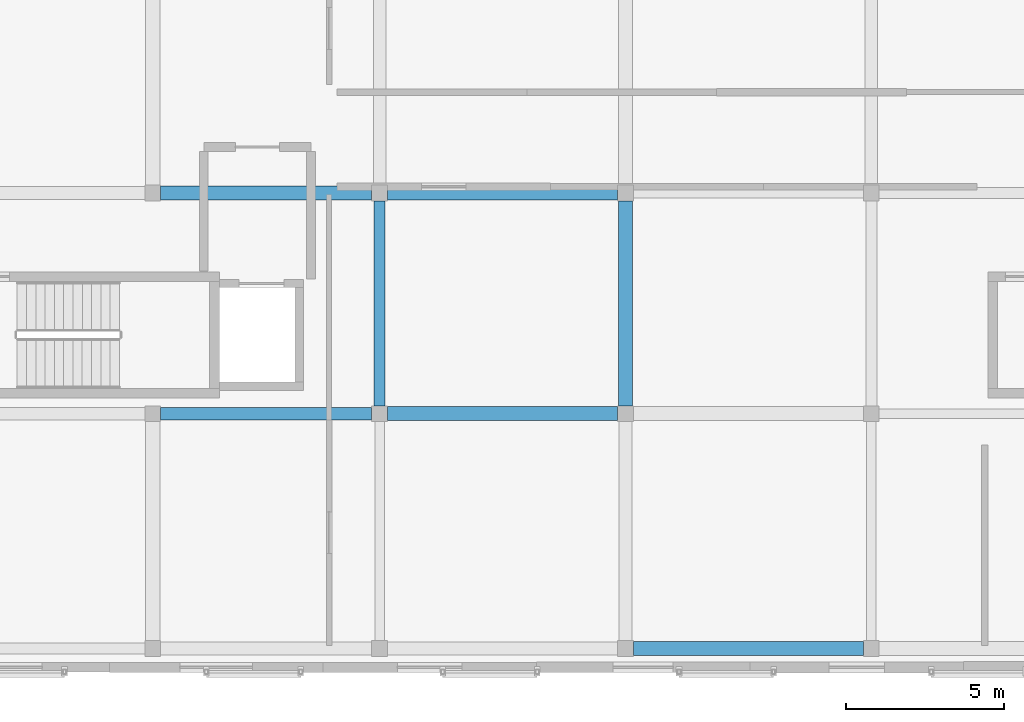
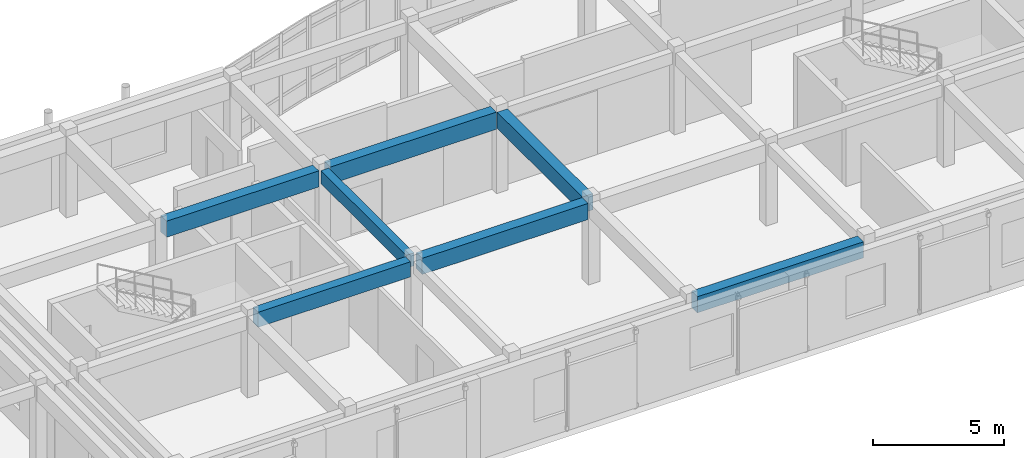
# One storey, part 33 of 91: 7 beams.
"""IFC4 building model written with IfcOpenShell, lengths in metres."""

from ifc_helpers import new_model, si_unit, direction, frame, origin, origin_2d, place, context, subcontext, project, spatial, rectangle, extrude, material, material_profile, profile_set, type_object, element, save


model = new_model("IFC4")

# Units and contexts
model_context = context("Model", 3, precision=1e-05, world=origin(), true_north=direction((0.0, 1.0)))
body_context = subcontext(model_context, "Body", "Model", "MODEL_VIEW")
ifc_project = project(units=[si_unit("LENGTHUNIT", "METRE"), si_unit("AREAUNIT", "SQUARE_METRE"), si_unit("VOLUMEUNIT", "CUBIC_METRE"), si_unit("PLANEANGLEUNIT", "RADIAN"), si_unit("MASSUNIT", "GRAM", prefix="KILO")], contexts=[model_context])

# Site, building, storey
site_placement = place(None, origin())
site = spatial("IfcSite", under=ifc_project, at=site_placement, CompositionType="ELEMENT")
building_placement = place(site_placement, origin())
building = spatial("IfcBuilding", under=site, at=building_placement, Name="Valcora Specialist Clinic", CompositionType="ELEMENT")
storey_placement = place(building_placement, frame((0.0, 0.0, 13.60009765625)))
storey = spatial("IfcBuildingStorey", under=building, at=storey_placement, Name="L03", CompositionType="ELEMENT", Elevation=13.60009765625)

# Beams
ifc_material = material(Name="Concrete C40/50", Category="concrete")
ifc_material_profile_1 = material_profile(ifc_material, rectangle(XDim=0.35009765625, YDim=0.60009765625, at=origin_2d()), Name="RC-BM-350X600")
ifc_profile_set_1 = profile_set([ifc_material_profile_1], Name="Concrete C40/50")
beam_type_1 = type_object("IfcBeamType", Name="TY-BM-RC350X600", PredefinedType="BEAM", material=ifc_profile_set_1)
beam_1_placement = place(storey_placement, frame((69.0, 8.449951171875, 3.47998046875), z_axis=(0.0, 1.0, 0.0), x_axis=(-1.0, 0.0, 0.0)))
element("IfcBeam", 1, at=beam_1_placement, inside=storey, type_object=beam_type_1, Name="Beam BM-L03-1452", PredefinedType="BEAM", context=body_context, shape_type="SweptSolid", body=[
    extrude(rectangle(XDim=0.35009765625, YDim=0.60009765625, at=origin_2d()), origin(), (0.0, 0.0, 1.0), 6.5),
])
ifc_material_profile_2 = material_profile(ifc_material, rectangle(XDim=0.39990234375, YDim=0.699951171875, at=origin_2d()), Name="RC-BM-400X700")
ifc_profile_set_2 = profile_set([ifc_material_profile_2], Name="Concrete C40/50")
beam_type_2 = type_object("IfcBeamType", Name="TY-BM-RC400X700", PredefinedType="BEAM", material=ifc_profile_set_2)
beam_2_placement = place(storey_placement, frame((62.050048828125, 8.199951171875, 3.429931640625), z_axis=(1.0, 0.0, 0.0), x_axis=(0.0, 1.0, 0.0)))
element("IfcBeam", 2, at=beam_2_placement, inside=storey, type_object=beam_type_2, Name="Beam BM-L03-1426", PredefinedType="BEAM", context=body_context, shape_type="SweptSolid", body=[
    extrude(rectangle(XDim=0.39990234375, YDim=0.699951171875, at=origin_2d()), origin(), (0.0, 0.0, 1.0), 6.699951171875),
])
ifc_material_profile_3 = material_profile(ifc_material, rectangle(XDim=0.449951171875, YDim=0.75, at=origin_2d()), Name="RC-BM-450X750")
ifc_profile_set_3 = profile_set([ifc_material_profile_3], Name="Concrete C40/50")
beam_type_3 = type_object("IfcBeamType", Name="TY-BM-RC450X750", PredefinedType="BEAM", material=ifc_profile_set_3)
for number, where, z_axis, x_axis, name in (
    (3, (77.050048828125, 0.75, 3.40478515625), (1.0, 0.0, 0.0), (0.0, 1.0, 0.0), "Beam BM-L03-1421"),
    (4, (69.25, 8.199951171875, 3.40478515625), (1.0, 0.0, 0.0), (0.0, 1.0, 0.0), "Beam BM-L03-1427"),
):
    element("IfcBeam", number, at=place(storey_placement, frame(where, z_axis=z_axis, x_axis=x_axis)), inside=storey, type_object=beam_type_3, Name=name, PredefinedType="BEAM", context=body_context, shape_type="SweptSolid", body=[
        extrude(rectangle(XDim=0.449951171875, YDim=0.75, at=origin_2d()), origin(), (0.0, 0.0, 1.0), 7.300048828125),
    ])
beam_3_placement = place(storey_placement, frame((62.050048828125, 15.199951171875, 3.40478515625), z_axis=(1.0, 0.0, 0.0), x_axis=(0.0, 1.0, 0.0)))
element("IfcBeam", 5, at=beam_3_placement, inside=storey, type_object=beam_type_3, Name="Beam BM-L03-1433", PredefinedType="BEAM", context=body_context, shape_type="SweptSolid", body=[
    extrude(rectangle(XDim=0.449951171875, YDim=0.75, at=origin_2d()), origin(), (0.0, 0.0, 1.0), 6.699951171875),
])
beam_4_placement = place(storey_placement, frame((76.800048828125, 8.449951171875, 3.40478515625), z_axis=(0.0, 1.0, 0.0), x_axis=(-1.0, 0.0, 0.0)))
element("IfcBeam", 6, at=beam_4_placement, inside=storey, type_object=beam_type_3, Name="Beam BM-L03-1455", PredefinedType="BEAM", context=body_context, shape_type="SweptSolid", body=[
    extrude(rectangle(XDim=0.449951171875, YDim=0.75, at=origin_2d()), origin(), (0.0, 0.0, 1.0), 6.5),
])
ifc_material_profile_4 = material_profile(ifc_material, rectangle(XDim=0.449951171875, YDim=0.800048828125, at=origin_2d()), Name="RC-BM-450X800")
ifc_profile_set_4 = profile_set([ifc_material_profile_4], Name="Concrete C40/50")
beam_type_4 = type_object("IfcBeamType", Name="TY-BM-RC450X800", PredefinedType="BEAM", material=ifc_profile_set_4)
beam_5_placement = place(storey_placement, frame((69.25, 15.199951171875, 3.3798828125), z_axis=(1.0, 0.0, 0.0), x_axis=(0.0, 1.0, 0.0)))
element("IfcBeam", 7, at=beam_5_placement, inside=storey, type_object=beam_type_4, Name="Beam BM-L03-1434", PredefinedType="BEAM", context=body_context, shape_type="SweptSolid", body=[
    extrude(rectangle(XDim=0.449951171875, YDim=0.800048828125, at=origin_2d()), origin(), (0.0, 0.0, 1.0), 7.300048828125),
])

save(model, "model.ifc")
